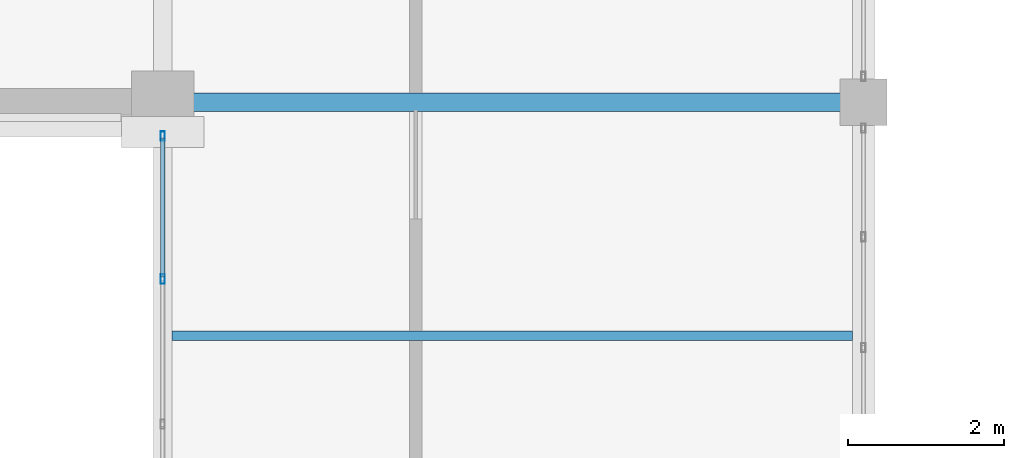
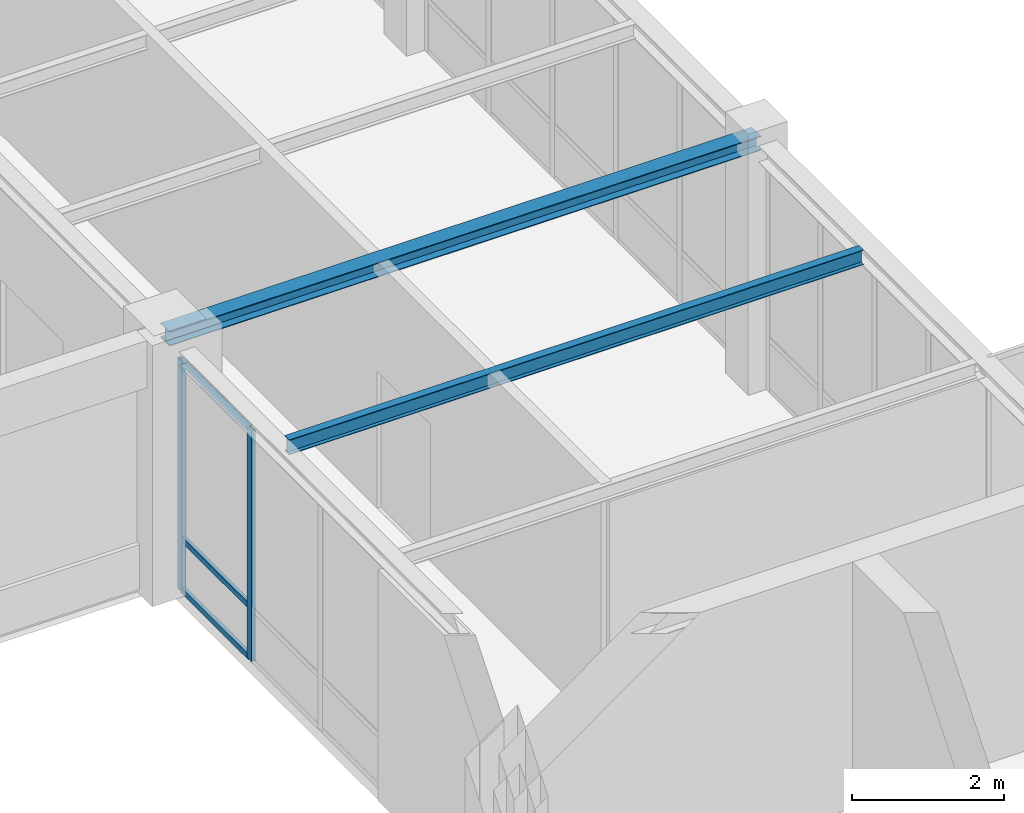
# One storey, part 16 of 97: 5 members, 2 beams, 1 element without a shape of its own.
"""IFC4 building model written with IfcOpenShell, lengths in metres."""

from ifc_helpers import new_model, si_unit, direction, frame, origin, origin_2d, place, context, subcontext, project, spatial, hollow_rectangle, i_section, extrude, material, material_profile, profile_set, type_object, element, aggregate, save


model = new_model("IFC4")

# Units and contexts
model_context = context("Model", 3, precision=1e-05, world=origin(), true_north=direction((0.0, 1.0)))
body_context = subcontext(model_context, "Body", "Model", "MODEL_VIEW")
ifc_project = project(units=[si_unit("LENGTHUNIT", "METRE"), si_unit("AREAUNIT", "SQUARE_METRE"), si_unit("VOLUMEUNIT", "CUBIC_METRE"), si_unit("PLANEANGLEUNIT", "RADIAN"), si_unit("MASSUNIT", "GRAM", prefix="KILO")], contexts=[model_context])

# Site, building, storey
site_placement = place(None, origin())
site = spatial("IfcSite", under=ifc_project, at=site_placement, CompositionType="ELEMENT")
building_placement = place(site_placement, origin())
building = spatial("IfcBuilding", under=site, at=building_placement, Name="Lykobir Media Centre", CompositionType="ELEMENT")
storey_placement = place(building_placement, frame((0.0, 0.0, 23.39990234375)))
storey = spatial("IfcBuildingStorey", under=building, at=storey_placement, Name="L05", CompositionType="ELEMENT", Elevation=23.39990234375)

# Curtain wall, members
ifc_material_1 = material(Name="Anodized Aluminium AW-6060", Category="aluminium")
curtain_wall_type = type_object("IfcCurtainWallType", Name="CW-COURT-B", PredefinedType="NOTDEFINED", material=ifc_material_1)
curtain_wall_placement = place(storey_placement, origin())
curtain_wall = element("IfcCurtainWall", 1, at=curtain_wall_placement, inside=storey, type_object=curtain_wall_type, Name="Curtain wall CW2-L05-0203", PredefinedType="NOTDEFINED")
ifc_material_profile_1 = material_profile(ifc_material_1, hollow_rectangle(XDim=0.054931640625, YDim=0.1201171875, WallThickness=0.003173828125, at=origin_2d()), Name="ALU MULLION 55x120")
ifc_profile_set_1 = profile_set([ifc_material_profile_1], Name="Anodized Aluminium AW-6060")
member_type_1 = type_object("IfcMemberType", Name="CWM-120", PredefinedType="MULLION", material=ifc_profile_set_1)
member_1_placement = place(storey_placement, frame((27.0, 24.72998046875, 0.0), z_axis=(0.0, 0.0, 1.0), x_axis=(-1.0, 0.0, 0.0)))
member_1 = element("IfcMember", 2, at=member_1_placement, type_object=member_type_1, Name="CW2-L05-0203 mullion 3", PredefinedType="MULLION", context=body_context, shape_type="SweptSolid", body=[
    extrude(hollow_rectangle(XDim=0.054931640625, YDim=0.1201171875, WallThickness=0.003173828125, at=origin_2d()), origin(), (0.0, 0.0, 1.0), 3.715087890625),
])
member_2_placement = place(storey_placement, frame((27.0, 26.5673828125, 0.0), z_axis=(0.0, 0.0, 1.0), x_axis=(-1.0, 0.0, 0.0)))
member_2 = element("IfcMember", 3, at=member_2_placement, type_object=member_type_1, Name="CW2-L05-0203 mullion 4", PredefinedType="MULLION", context=body_context, shape_type="SweptSolid", body=[
    extrude(hollow_rectangle(XDim=0.054931640625, YDim=0.1201171875, WallThickness=0.003173828125, at=origin_2d()), origin(), (0.0, 0.0, 1.0), 3.715087890625),
])
ifc_material_profile_2 = material_profile(ifc_material_1, hollow_rectangle(XDim=0.054931640625, YDim=0.094970703125, WallThickness=0.0029296875, at=origin_2d()), Name="ALU TRANSOM 55x95")
ifc_profile_set_2 = profile_set([ifc_material_profile_2], Name="Anodized Aluminium AW-6060")
member_type_2 = type_object("IfcMemberType", Name="CWT-095", PredefinedType="USERDEFINED", material=ifc_profile_set_2)
member_3_placement = place(storey_placement, frame((27.0, 24.757568359375, 0.027587890625), z_axis=(0.0, 1.0, 0.0), x_axis=(-1.0, 0.0, 0.0)))
member_3 = element("IfcMember", 4, at=member_3_placement, type_object=member_type_2, Name="CW2-L05-0203 transom 3.1", ObjectType="TRANSOM", PredefinedType="USERDEFINED", context=body_context, shape_type="SweptSolid", body=[
    extrude(hollow_rectangle(XDim=0.054931640625, YDim=0.094970703125, WallThickness=0.0029296875, at=origin_2d()), origin(), (0.0, 0.0, 1.0), 1.782470703125),
])
member_4_placement = place(storey_placement, frame((27.0, 24.757568359375, 0.85009765625), z_axis=(0.0, 1.0, 0.0), x_axis=(-1.0, 0.0, 0.0)))
member_4 = element("IfcMember", 5, at=member_4_placement, type_object=member_type_2, Name="CW2-L05-0203 transom 3.2", ObjectType="TRANSOM", PredefinedType="USERDEFINED", context=body_context, shape_type="SweptSolid", body=[
    extrude(hollow_rectangle(XDim=0.054931640625, YDim=0.094970703125, WallThickness=0.0029296875, at=origin_2d()), origin(), (0.0, 0.0, 1.0), 1.782470703125),
])
member_5_placement = place(storey_placement, frame((27.0, 24.757568359375, 3.6875), z_axis=(0.0, 1.0, 0.0), x_axis=(-1.0, 0.0, 0.0)))
member_5 = element("IfcMember", 6, at=member_5_placement, type_object=member_type_2, Name="CW2-L05-0203 transom 3.3", ObjectType="TRANSOM", PredefinedType="USERDEFINED", context=body_context, shape_type="SweptSolid", body=[
    extrude(hollow_rectangle(XDim=0.054931640625, YDim=0.094970703125, WallThickness=0.0029296875, at=origin_2d()), origin(), (0.0, 0.0, 1.0), 1.782470703125),
])
aggregate(curtain_wall, [member_1, member_2, member_3, member_4, member_5])

# Beams
ifc_material_2 = material(Name="Steel S355", Category="steel")
ifc_material_profile_3 = material_profile(ifc_material_2, i_section(OverallWidth=0.1201171875, OverallDepth=0.239990234375, WebThickness=0.006103515625, FlangeThickness=0.009765625, at=origin_2d()), Name="IPE 240")
ifc_profile_set_3 = profile_set([ifc_material_profile_3], Name="Steel S355")
beam_type_1 = type_object("IfcBeamType", Name="JS-IPE240", PredefinedType="JOIST", material=ifc_profile_set_3)
beam_1_placement = place(storey_placement, frame((27.1201171875, 24.0, 3.840087890625), z_axis=(1.0, 0.0, 0.0), x_axis=(0.0, 1.0, 0.0)))
element("IfcBeam", 7, at=beam_1_placement, inside=storey, type_object=beam_type_1, Name="Beam BM-L05-0271-0240-0359-0240-2724", PredefinedType="JOIST", context=body_context, shape_type="SweptSolid", body=[
    extrude(i_section(OverallWidth=0.1201171875, OverallDepth=0.239990234375, WebThickness=0.006103515625, FlangeThickness=0.009765625, at=origin_2d()), origin(), (0.0, 0.0, 1.0), 8.739990234375),
])
ifc_material_profile_4 = material_profile(ifc_material_2, i_section(OverallWidth=0.239990234375, OverallDepth=0.22998046875, WebThickness=0.007568359375, FlangeThickness=0.011962890625, at=origin_2d()), Name="HEA 240")
ifc_profile_set_4 = profile_set([ifc_material_profile_4], Name="Steel S355")
beam_type_2 = type_object("IfcBeamType", Name="SP-HEA240", PredefinedType="SPANDREL", material=ifc_profile_set_4)
beam_2_placement = place(storey_placement, frame((27.0, 27.0, 3.84521484375), z_axis=(1.0, 0.0, 0.0), x_axis=(0.0, 1.0, 0.0)))
element("IfcBeam", 8, at=beam_2_placement, inside=storey, type_object=beam_type_2, Name="Beam BM-L05-0270-0270-0360-0270-2724", PredefinedType="SPANDREL", context=body_context, shape_type="SweptSolid", body=[
    extrude(i_section(OverallWidth=0.239990234375, OverallDepth=0.22998046875, WebThickness=0.007568359375, FlangeThickness=0.011962890625, at=origin_2d()), origin(), (0.0, 0.0, 1.0), 9.0),
])

save(model, "model.ifc")
